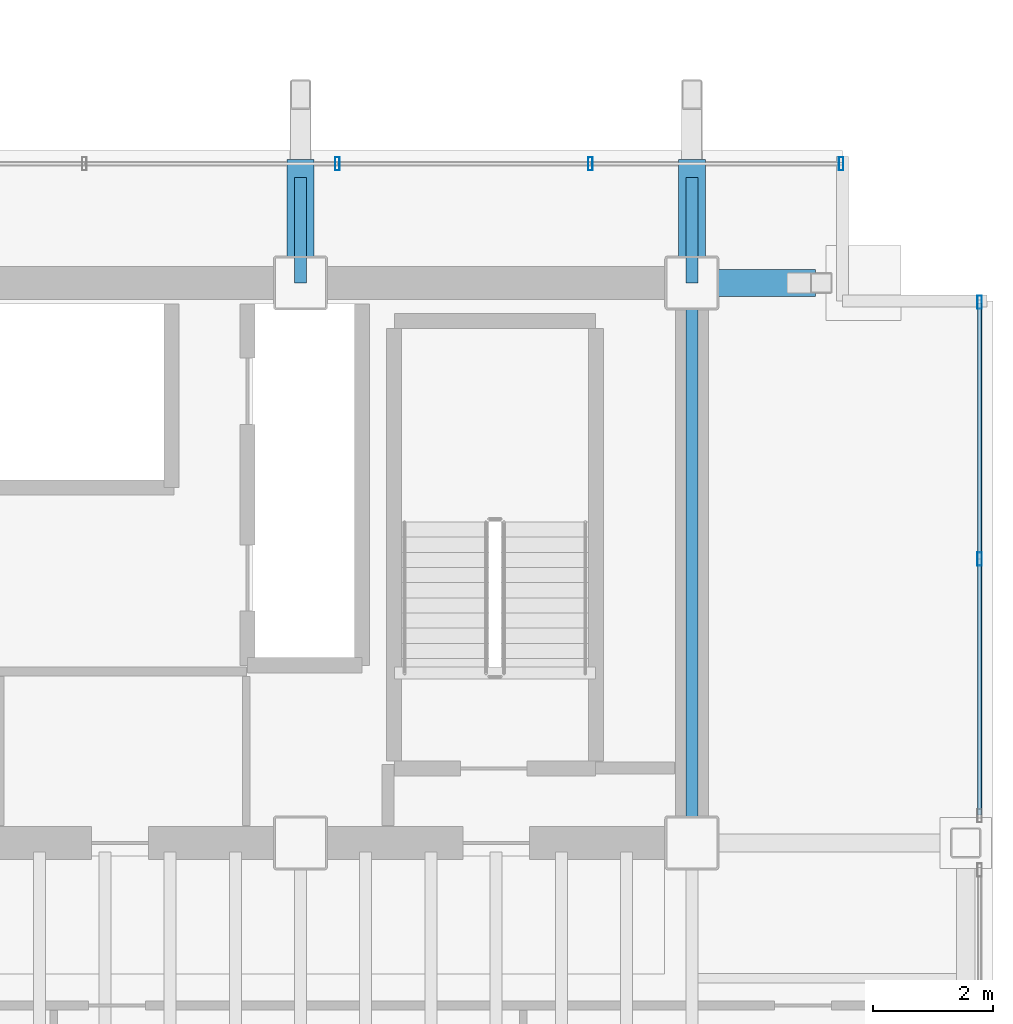
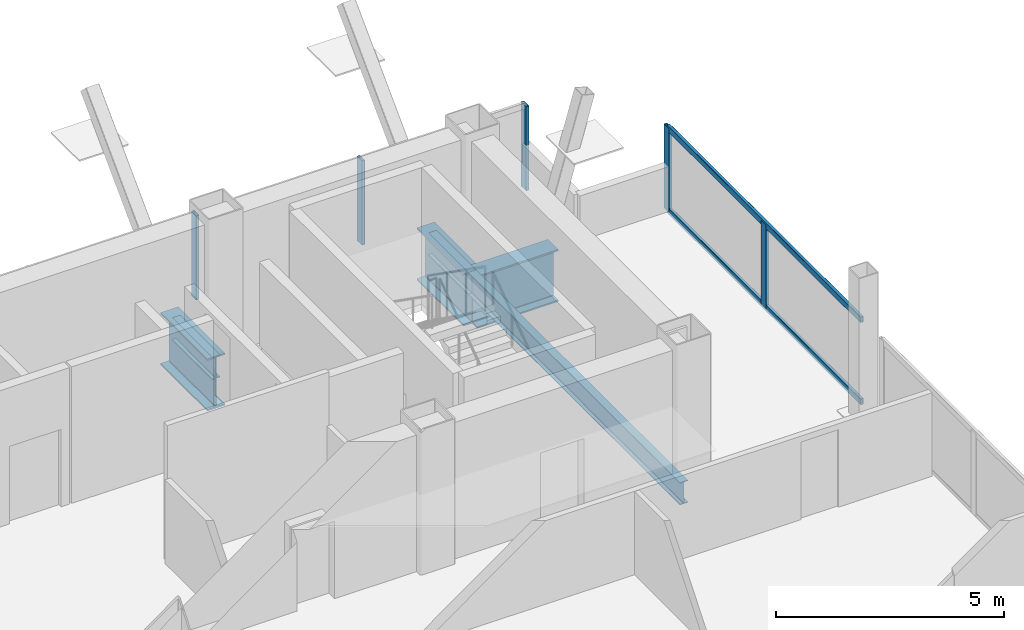
# One storey, part 17 of 22: 7 members, 6 beams, 2 elements without a shape of their own.
"""IFC4 building model written with IfcOpenShell, lengths in metres."""

from ifc_helpers import new_model, si_unit, direction, frame, origin, origin_2d, place, context, subcontext, project, spatial, hollow_rectangle, i_section, extrude, material, material_profile, profile_set, type_object, element, aggregate, save


model = new_model("IFC4")

# Units and contexts
model_context = context("Model", 3, precision=1e-05, world=origin(), true_north=direction((0.0, 1.0)))
body_context = subcontext(model_context, "Body", "Model", "MODEL_VIEW")
ifc_project = project(units=[si_unit("LENGTHUNIT", "METRE"), si_unit("AREAUNIT", "SQUARE_METRE"), si_unit("VOLUMEUNIT", "CUBIC_METRE"), si_unit("PLANEANGLEUNIT", "RADIAN"), si_unit("MASSUNIT", "GRAM", prefix="KILO")], contexts=[model_context])

# Site, building, storey
site_placement = place(None, origin())
site = spatial("IfcSite", under=ifc_project, at=site_placement, CompositionType="ELEMENT")
building_placement = place(site_placement, origin())
building = spatial("IfcBuilding", under=site, at=building_placement, Name="Noeulbin Bourse Tower", CompositionType="ELEMENT")
storey_placement = place(building_placement, frame((0.0, 0.0, 138.300048828125)))
storey = spatial("IfcBuildingStorey", under=building, at=storey_placement, Name="L34", CompositionType="ELEMENT", Elevation=138.300048828125)

# Beams
ifc_material_1 = material(Name="Steel S355", Category="steel")
ifc_material_profile_1 = material_profile(ifc_material_1, i_section(OverallWidth=0.199951171875, OverallDepth=0.60009765625, WebThickness=0.010986328125, FlangeThickness=0.01708984375, FilletRadius=0.02197265625, at=origin_2d()), Name="H-600x200x11x17", Category="LoadBearing")
ifc_profile_set_1 = profile_set([ifc_material_profile_1], Name="Steel S355")
beam_type_1 = type_object("IfcBeamType", Name="BM-GRD-600", PredefinedType="USERDEFINED", material=ifc_profile_set_1)
beam_1_placement = place(storey_placement, frame((37.5, 38.300048828125, -0.47998046875), z_axis=(0.0, 1.0, 0.0), x_axis=(-1.0, 0.0, 0.0)))
element("IfcBeam", 1, at=beam_1_placement, inside=storey, type_object=beam_type_1, Name="Tower Primary Girder NS L34-4.4", ObjectType="GIRDER", PredefinedType="USERDEFINED", context=body_context, shape_type="SweptSolid", body=[
    extrude(i_section(OverallWidth=0.199951171875, OverallDepth=0.60009765625, WebThickness=0.010986328125, FlangeThickness=0.01708984375, FilletRadius=0.02197265625, at=origin_2d()), origin(), (0.0, 0.0, 1.0), 1.75),
])
beam_2_placement = place(storey_placement, frame((44.0, 29.0, -0.47998046875), z_axis=(0.0, 1.0, 0.0), x_axis=(-1.0, 0.0, 0.0)))
element("IfcBeam", 2, at=beam_2_placement, inside=storey, type_object=beam_type_1, Name="Tower Primary Girder NS L34-5.3", ObjectType="GIRDER", PredefinedType="USERDEFINED", context=body_context, shape_type="SweptSolid", body=[
    extrude(i_section(OverallWidth=0.199951171875, OverallDepth=0.60009765625, WebThickness=0.010986328125, FlangeThickness=0.01708984375, FilletRadius=0.02197265625, at=origin_2d()), origin(), (0.0, 0.0, 1.0), 9.300048828125),
])
beam_3_placement = place(storey_placement, frame((44.0, 38.300048828125, -0.47998046875), z_axis=(0.0, 1.0, 0.0), x_axis=(-1.0, 0.0, 0.0)))
element("IfcBeam", 3, at=beam_3_placement, inside=storey, type_object=beam_type_1, Name="Tower Primary Girder NS L34-5.4", ObjectType="GIRDER", PredefinedType="USERDEFINED", context=body_context, shape_type="SweptSolid", body=[
    extrude(i_section(OverallWidth=0.199951171875, OverallDepth=0.60009765625, WebThickness=0.010986328125, FlangeThickness=0.01708984375, FilletRadius=0.02197265625, at=origin_2d()), origin(), (0.0, 0.0, 1.0), 1.75),
])
ifc_material_2 = material(Name="Steel S460", Category="steel")
ifc_material_profile_2 = material_profile(ifc_material_2, i_section(OverallWidth=0.449951171875, OverallDepth=1.39990234375, WebThickness=0.02392578125, FlangeThickness=0.0400390625, FilletRadius=0.02392578125, at=origin_2d()), Name="PG-1400x450x24x40", Category="LoadBearing")
ifc_profile_set_2 = profile_set([ifc_material_profile_2], Name="Steel S460")
beam_type_2 = type_object("IfcBeamType", Name="BM-TRF-1400", PredefinedType="USERDEFINED", material=ifc_profile_set_2)
for number, where, z_axis, x_axis, name in (
    (4, (44.0, 38.300048828125, -0.880126953125), (1.0, 0.0, 0.0), (0.0, 1.0, 0.0), "Transfer Outrigger Corbel L34-01"),
    (5, (37.5, 38.300048828125, -0.880126953125), (0.0, 1.0, 0.0), (-1.0, 0.0, 0.0), "Transfer Outrigger Corbel L34-05"),
    (6, (44.0, 38.300048828125, -0.880126953125), (0.0, 1.0, 0.0), (-1.0, 0.0, 0.0), "Transfer Outrigger Corbel L34-06"),
):
    element("IfcBeam", number, at=place(storey_placement, frame(where, z_axis=z_axis, x_axis=x_axis)), inside=storey, type_object=beam_type_2, Name=name, ObjectType="GIRDER", PredefinedType="USERDEFINED", context=body_context, shape_type="SweptSolid", body=[
        extrude(i_section(OverallWidth=0.449951171875, OverallDepth=1.39990234375, WebThickness=0.02392578125, FlangeThickness=0.0400390625, FilletRadius=0.02392578125, at=origin_2d()), origin(), (0.0, 0.0, 1.0), 2.050048828125),
    ])

# Curtain wall, members
ifc_material_3 = material(Name="Dark Tinted Triple Glazing", Category="glass")
curtain_wall_type = type_object("IfcCurtainWallType", Name="CW-SYS-3", PredefinedType="NOTDEFINED", material=ifc_material_3)
curtain_wall_1_placement = place(storey_placement, origin())
curtain_wall_1 = element("IfcCurtainWall", 7, at=curtain_wall_1_placement, inside=storey, type_object=curtain_wall_type, Name="Unitised Curtain Wall CW-L34-N", PredefinedType="NOTDEFINED")
ifc_material_4 = material(Name="Anodised Aluminium 6063-T6", Category="aluminium")
ifc_material_profile_3 = material_profile(ifc_material_4, hollow_rectangle(XDim=0.074951171875, YDim=0.219970703125, WallThickness=0.0048828125, InnerFilletRadius=0.00244140625, OuterFilletRadius=0.0048828125, at=origin_2d()), Name="ALU-MULL-75x220x5", Category="LoadBearing")
ifc_profile_set_3 = profile_set([ifc_material_profile_3], Name="Anodised Aluminium 6063-T6")
member_type_1 = type_object("IfcMemberType", Name="CW-SYS-3-MUL", PredefinedType="MULLION", material=ifc_profile_set_3)
member_1_placement = place(storey_placement, frame((38.112060546875, 40.280029296875, -0.02001953125), z_axis=(0.0, 0.0, 1.0), x_axis=(1.0, 0.0, 0.0)))
member_1 = element("IfcMember", 8, at=member_1_placement, type_object=member_type_1, Name="Curtain Wall Mullion CW-L34-N-M08", PredefinedType="MULLION", context=body_context, shape_type="SweptSolid", body=[
    extrude(hollow_rectangle(XDim=0.074951171875, YDim=0.219970703125, WallThickness=0.0048828125, InnerFilletRadius=0.00244140625, OuterFilletRadius=0.0048828125, at=origin_2d()), origin(), (0.0, 0.0, 1.0), 2.260009765625),
])
member_2_placement = place(storey_placement, frame((42.31591796875, 40.280029296875, -0.02001953125), z_axis=(0.0, 0.0, 1.0), x_axis=(1.0, 0.0, 0.0)))
member_2 = element("IfcMember", 9, at=member_2_placement, type_object=member_type_1, Name="Curtain Wall Mullion CW-L34-N-M09", PredefinedType="MULLION", context=body_context, shape_type="SweptSolid", body=[
    extrude(hollow_rectangle(XDim=0.074951171875, YDim=0.219970703125, WallThickness=0.0048828125, InnerFilletRadius=0.00244140625, OuterFilletRadius=0.0048828125, at=origin_2d()), origin(), (0.0, 0.0, 1.0), 2.260009765625),
])
member_3_placement = place(storey_placement, frame((46.47998046875, 40.280029296875, -0.02001953125), z_axis=(0.0, 0.0, 1.0), x_axis=(1.0, 0.0, 0.0)))
member_3 = element("IfcMember", 10, at=member_3_placement, type_object=member_type_1, Name="Curtain Wall Mullion CW-L34-N-M10", PredefinedType="MULLION", context=body_context, shape_type="SweptSolid", body=[
    extrude(hollow_rectangle(XDim=0.074951171875, YDim=0.219970703125, WallThickness=0.0048828125, InnerFilletRadius=0.00244140625, OuterFilletRadius=0.0048828125, at=origin_2d()), origin(), (0.0, 0.0, 1.0), 2.260009765625),
])
aggregate(curtain_wall_1, [member_1, member_2, member_3])

curtain_wall_2_placement = place(storey_placement, origin())
curtain_wall_2 = element("IfcCurtainWall", 11, at=curtain_wall_2_placement, inside=storey, type_object=curtain_wall_type, Name="Unitised Curtain Wall CW-L34-E-S3", PredefinedType="NOTDEFINED")
member_4_placement = place(storey_placement, frame((48.780029296875, 33.715087890625, -0.02001953125), z_axis=(0.0, 0.0, 1.0), x_axis=(1.0, 0.0, 0.0)))
member_4 = element("IfcMember", 12, at=member_4_placement, type_object=member_type_1, Name="Curtain Wall Mullion CW-L34-E-S3-M01", PredefinedType="MULLION", context=body_context, shape_type="SweptSolid", body=[
    extrude(hollow_rectangle(XDim=0.074951171875, YDim=0.219970703125, WallThickness=0.0048828125, InnerFilletRadius=0.00244140625, OuterFilletRadius=0.0048828125, at=origin_2d()), origin(), (0.0, 0.0, 1.0), 2.260009765625),
])
member_5_placement = place(storey_placement, frame((48.780029296875, 37.97998046875, -0.02001953125), z_axis=(0.0, 0.0, 1.0), x_axis=(1.0, 0.0, 0.0)))
member_5 = element("IfcMember", 13, at=member_5_placement, type_object=member_type_1, Name="Curtain Wall Mullion CW-L34-E-S3-M02", PredefinedType="MULLION", context=body_context, shape_type="SweptSolid", body=[
    extrude(hollow_rectangle(XDim=0.074951171875, YDim=0.219970703125, WallThickness=0.0048828125, InnerFilletRadius=0.00244140625, OuterFilletRadius=0.0048828125, at=origin_2d()), origin(), (0.0, 0.0, 1.0), 2.260009765625),
])
ifc_material_profile_4 = material_profile(ifc_material_4, hollow_rectangle(XDim=0.074951171875, YDim=0.159912109375, WallThickness=0.0048828125, InnerFilletRadius=0.00244140625, OuterFilletRadius=0.0048828125, at=origin_2d()), Name="ALU-TRAN-75x160x5", Category="LoadBearing")
ifc_profile_set_4 = profile_set([ifc_material_profile_4], Name="Anodised Aluminium 6063-T6")
member_type_2 = type_object("IfcMemberType", Name="CW-SYS-3-TRN", PredefinedType="USERDEFINED", material=ifc_profile_set_4)
member_6_placement = place(storey_placement, frame((48.780029296875, 29.4599609375, 0.010009765625), z_axis=(0.0, 1.0, 0.0), x_axis=(-1.0, 0.0, 0.0)))
member_6 = element("IfcMember", 14, at=member_6_placement, type_object=member_type_2, Name="Curtain Wall Transom CW-L34-E-S3-T00", ObjectType="TRANSOM", PredefinedType="USERDEFINED", context=body_context, shape_type="SweptSolid", body=[
    extrude(hollow_rectangle(XDim=0.074951171875, YDim=0.159912109375, WallThickness=0.0048828125, InnerFilletRadius=0.00244140625, OuterFilletRadius=0.0048828125, at=origin_2d()), origin(), (0.0, 0.0, 1.0), 8.510009765625),
])
member_7_placement = place(storey_placement, frame((48.780029296875, 29.4599609375, 2.2099609375), z_axis=(0.0, 1.0, 0.0), x_axis=(-1.0, 0.0, 0.0)))
member_7 = element("IfcMember", 15, at=member_7_placement, type_object=member_type_2, Name="Curtain Wall Transom CW-L34-E-S3-T01", ObjectType="TRANSOM", PredefinedType="USERDEFINED", context=body_context, shape_type="SweptSolid", body=[
    extrude(hollow_rectangle(XDim=0.074951171875, YDim=0.159912109375, WallThickness=0.0048828125, InnerFilletRadius=0.00244140625, OuterFilletRadius=0.0048828125, at=origin_2d()), origin(), (0.0, 0.0, 1.0), 8.510009765625),
])
aggregate(curtain_wall_2, [member_4, member_5, member_6, member_7])

save(model, "model.ifc")
